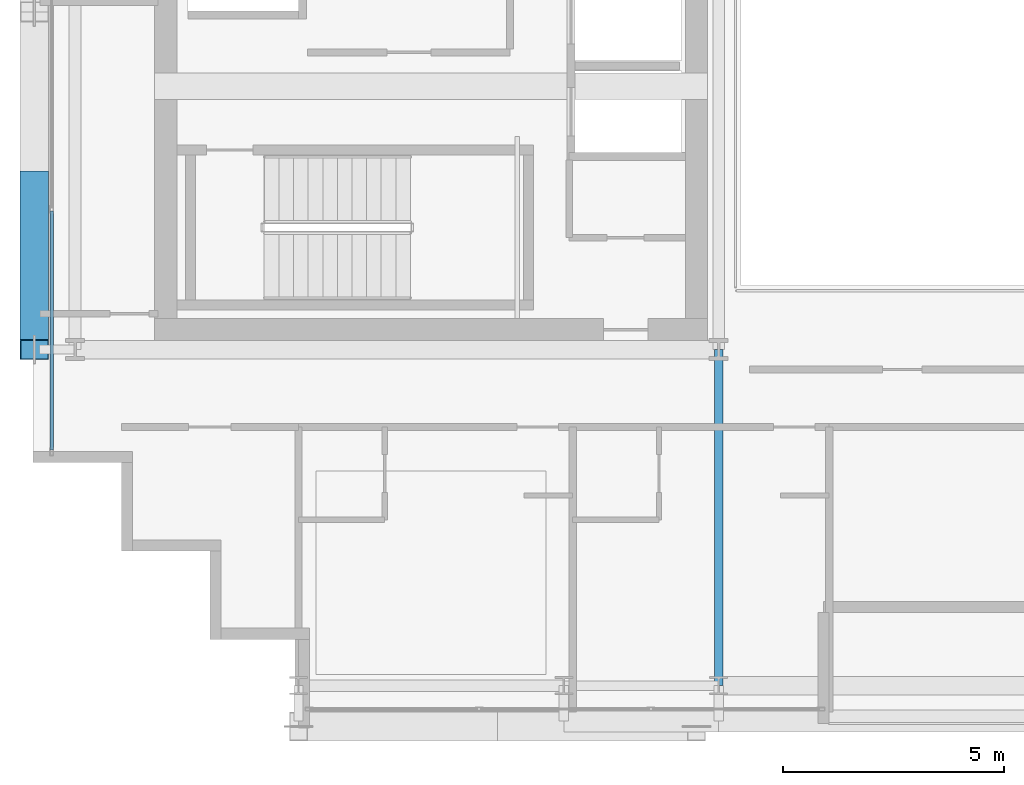
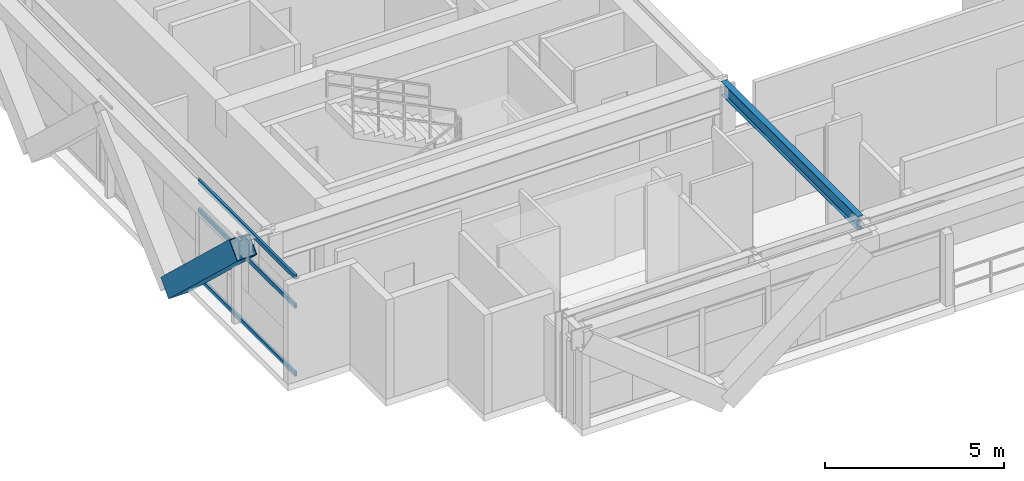
# One storey, part 3 of 32: 4 members, 1 beam, 1 element without a shape of its own.
"""IFC4 building model written with IfcOpenShell, lengths in metres."""

from ifc_helpers import new_model, si_unit, direction, frame, origin, origin_2d, place, context, subcontext, project, spatial, hollow_rectangle, i_section, extrude, source, transform, mapped, material, layer, layer_set, material_profile, profile_set, type_object, element, aggregate, save


model = new_model("IFC4")

# Units and contexts
model_context = context("Model", 3, precision=1e-05, world=origin(), true_north=direction((0.0, 1.0)))
body_context = subcontext(model_context, "Body", "Model", "MODEL_VIEW")
ifc_project = project(units=[si_unit("LENGTHUNIT", "METRE"), si_unit("AREAUNIT", "SQUARE_METRE"), si_unit("VOLUMEUNIT", "CUBIC_METRE"), si_unit("PLANEANGLEUNIT", "RADIAN"), si_unit("MASSUNIT", "GRAM", prefix="KILO")], contexts=[model_context])

# Site, building, storey
site_placement = place(None, origin())
site = spatial("IfcSite", under=ifc_project, at=site_placement, CompositionType="ELEMENT")
building_placement = place(site_placement, origin())
building = spatial("IfcBuilding", under=site, at=building_placement, Name="Ocotamira Hotel", CompositionType="ELEMENT")
storey_placement = place(building_placement, frame((0.0, 0.0, 177.60009765625)))
storey = spatial("IfcBuildingStorey", under=building, at=storey_placement, Name="L44", CompositionType="ELEMENT", Elevation=177.60009765625)

# Beam
ifc_material_1 = material(Name="Steel ASTM A992 Grade 50", Category="steel")
ifc_material_profile_1 = material_profile(ifc_material_1, i_section(OverallWidth=0.18994140625, OverallDepth=0.45703125, WebThickness=0.009033203125, FlangeThickness=0.014404296875, FilletRadius=0.010009765625, at=origin_2d()), Name="W18X50")
ifc_profile_set_1 = profile_set([ifc_material_profile_1], Name="Steel ASTM A992 Grade 50")
beam_type = type_object("IfcBeamType", Name="BM-SEC-W18X50", PredefinedType="JOIST", material=ifc_profile_set_1)
shared_shape_1 = source(origin(), body_context, "Body", "SweptSolid", [
    extrude(i_section(OverallWidth=0.18994140625, OverallDepth=0.45703125, WebThickness=0.009033203125, FlangeThickness=0.014404296875, FilletRadius=0.010009765625, at=origin_2d()), origin(), (0.0, 0.0, 1.0), 7.60009765625),
])
beam_placement = place(storey_placement, frame((23.5, 6.949951171875, 3.141357421875), z_axis=(0.0, 1.0, 0.0), x_axis=(-1.0, 0.0, 0.0)))
element("IfcBeam", 1, at=beam_placement, inside=storey, type_object=beam_type, Name="L44 Beam X23.5 Y6.95-14.55", PredefinedType="JOIST", context=body_context, shape_type="MappedRepresentation", body=[
    mapped(shared_shape_1, transform((0.0, 0.0, 0.0), scale=1.0)),
])

# Member
ifc_material_2 = material(Name="Pale-metal coated steel ASTM A913 Grade 65", Category="steel")
ifc_material_profile_2 = material_profile(ifc_material_2, hollow_rectangle(XDim=0.64990234375, YDim=0.64990234375, WallThickness=0.02197265625, at=origin_2d()), Name="BOX650X650X22")
ifc_profile_set_2 = profile_set([ifc_material_profile_2], Name="Pale-metal coated steel ASTM A913 Grade 65")
member_type_1 = type_object("IfcMemberType", Name="MEM-EXO-BOX650", PredefinedType="BRACE", material=ifc_profile_set_2)
shared_shape_2 = source(origin(), body_context, "Body", "SweptSolid", [
    extrude(hollow_rectangle(XDim=0.64990234375, YDim=0.64990234375, WallThickness=0.02197265625, at=origin_2d()), origin(), (0.0, 0.0, 1.0), 5.24658203125),
])
member_1_placement = place(storey_placement, frame((8.030029296875, 18.36669921875, -0.47998046875), z_axis=(0.0, -0.72746596067, 0.686143772154), x_axis=(1.0, 0.0, 0.0)))
element("IfcMember", 2, at=member_1_placement, inside=storey, type_object=member_type_1, Name="L44 Exoskeleton Diagrid W0.1", PredefinedType="BRACE", context=body_context, shape_type="MappedRepresentation", body=[
    mapped(shared_shape_2, transform((0.0, 0.0, 0.0), scale=1.0)),
])

# Curtain wall, members
ifc_material_3 = material(Name="Anodised pale-metal aluminium and solar glass", Category="aluminium")
ifc_layer = layer(ifc_material_3, 0.199951171875)
ifc_layer_set = layer_set([ifc_layer], Name="Anodised pale-metal aluminium and solar glass")
curtain_wall_type = type_object("IfcCurtainWallType", Name="CW-SYS4-Z3", PredefinedType="NOTDEFINED", material=ifc_layer_set)
curtain_wall_placement = place(storey_placement, origin())
curtain_wall = element("IfcCurtainWall", 3, at=curtain_wall_placement, inside=storey, type_object=curtain_wall_type, Name="L44 Curtain Wall CW-4 CW-L44-W", PredefinedType="NOTDEFINED")
ifc_material_4 = material(Name="Anodised pale-metal aluminium 6063-T6", Category="aluminium")
ifc_material_profile_3 = material_profile(ifc_material_4, hollow_rectangle(XDim=0.074951171875, YDim=0.14990234375, WallThickness=0.006103515625, at=origin_2d()), Name="HSS150X75X6")
ifc_profile_set_3 = profile_set([ifc_material_profile_3], Name="Anodised pale-metal aluminium 6063-T6")
member_type_2 = type_object("IfcMemberType", Name="CWT-150X75", PredefinedType="USERDEFINED", material=ifc_profile_set_3)
shared_shape_3 = source(origin(), body_context, "Body", "SweptSolid", [
    extrude(hollow_rectangle(XDim=0.074951171875, YDim=0.14990234375, WallThickness=0.006103515625, at=origin_2d()), origin(), (0.0, 0.0, 1.0), 5.39990234375),
])
member_2_placement = place(storey_placement, frame((8.419921875, 12.280029296875, 0.037353515625), z_axis=(0.0, 1.0, 0.0), x_axis=(-1.0, 0.0, 0.0)))
member_2 = element("IfcMember", 4, at=member_2_placement, type_object=member_type_2, Name="CW-4 transom 1.1", ObjectType="TRANSOM", PredefinedType="USERDEFINED", context=body_context, shape_type="MappedRepresentation", body=[
    mapped(shared_shape_3, transform((0.0, 0.0, 0.0), scale=1.0)),
])
member_3_placement = place(storey_placement, frame((8.419921875, 12.280029296875, 2.349853515625), z_axis=(0.0, 1.0, 0.0), x_axis=(-1.0, 0.0, 0.0)))
member_3 = element("IfcMember", 5, at=member_3_placement, type_object=member_type_2, Name="CW-4 transom 1.2", ObjectType="TRANSOM", PredefinedType="USERDEFINED", context=body_context, shape_type="MappedRepresentation", body=[
    mapped(shared_shape_3, transform((0.0, 0.0, 0.0), scale=1.0)),
])
member_4_placement = place(storey_placement, frame((8.419921875, 12.280029296875, 3.33251953125), z_axis=(0.0, 1.0, 0.0), x_axis=(-1.0, 0.0, 0.0)))
member_4 = element("IfcMember", 6, at=member_4_placement, type_object=member_type_2, Name="CW-4 transom 1.3", ObjectType="TRANSOM", PredefinedType="USERDEFINED", context=body_context, shape_type="MappedRepresentation", body=[
    mapped(shared_shape_3, transform((0.0, 0.0, 0.0), scale=1.0)),
])
aggregate(curtain_wall, [member_2, member_3, member_4])

save(model, "model.ifc")
